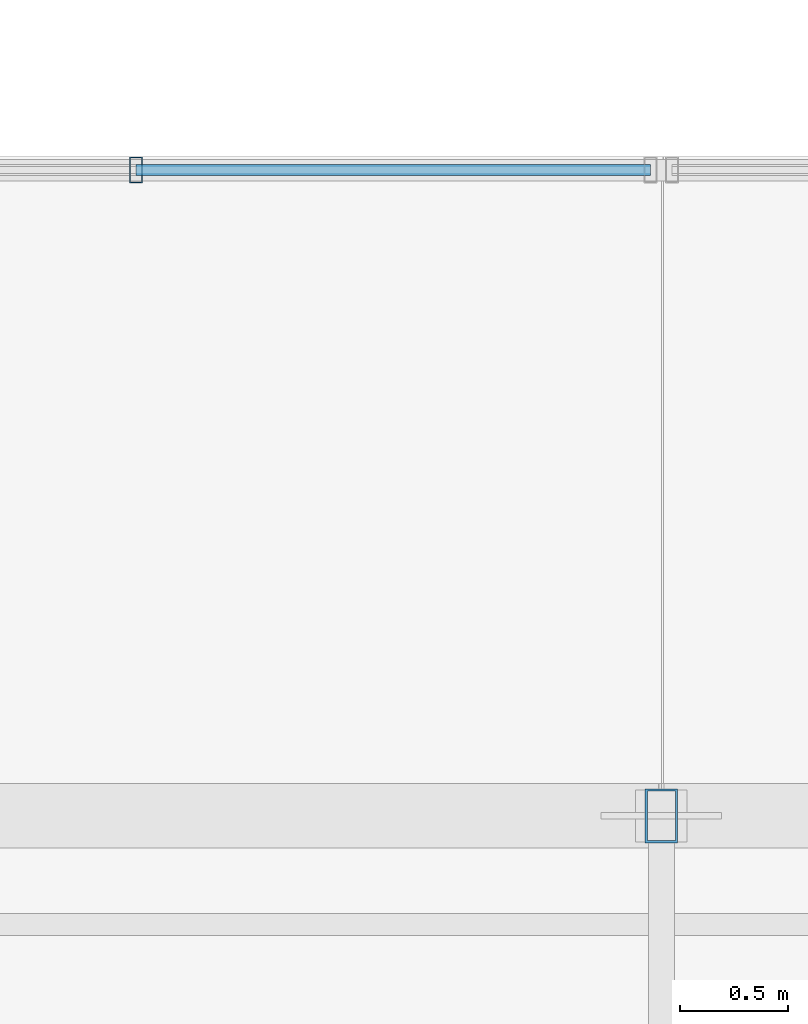
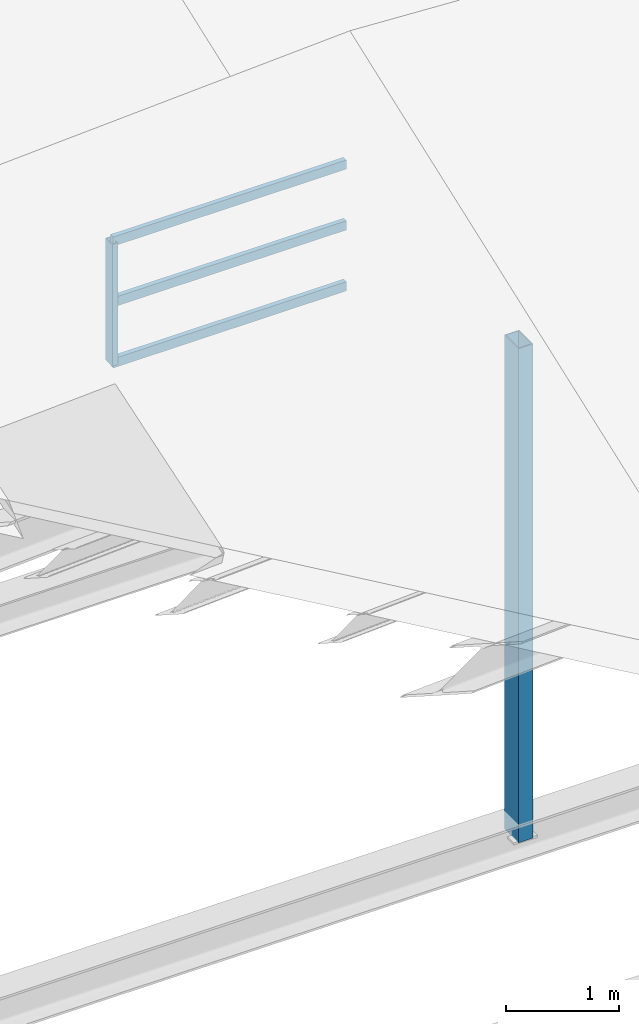
# One storey, part 84 of 141: 5 members, 1 element without a shape of its own.
"""IFC4 building model written with IfcOpenShell, lengths in metres."""

from ifc_helpers import new_model, si_unit, direction, frame, origin, origin_2d, place, context, subcontext, project, spatial, hollow_rectangle, extrude, material, material_profile, profile_set, type_object, element, aggregate, save


model = new_model("IFC4")

# Units and contexts
model_context = context("Model", 3, precision=1e-05, world=origin(), true_north=direction((0.0, 1.0)))
body_context = subcontext(model_context, "Body", "Model", "MODEL_VIEW")
ifc_project = project(units=[si_unit("LENGTHUNIT", "METRE"), si_unit("AREAUNIT", "SQUARE_METRE"), si_unit("VOLUMEUNIT", "CUBIC_METRE"), si_unit("PLANEANGLEUNIT", "RADIAN"), si_unit("MASSUNIT", "GRAM", prefix="KILO")], contexts=[model_context])

# Site, building, storey
site_placement = place(None, origin())
site = spatial("IfcSite", under=ifc_project, at=site_placement, CompositionType="ELEMENT")
building_placement = place(site_placement, origin())
building = spatial("IfcBuilding", under=site, at=building_placement, Name="Sundkrona Museum", CompositionType="ELEMENT")
storey_placement = place(building_placement, frame((0.0, 0.0, 34.0)))
storey = spatial("IfcBuildingStorey", under=building, at=storey_placement, Name="RF", CompositionType="ELEMENT", Elevation=34.0)

# Curtain wall, member
ifc_material_1 = material(Name="Unitised Aluminium-Steel and Ceramic-Clad Curtain Walling", Category="steel")
curtain_wall_type = type_object("IfcCurtainWallType", Name="CW-SW-240x13", PredefinedType="NOTDEFINED", material=ifc_material_1)
curtain_wall_placement = place(storey_placement, origin())
curtain_wall = element("IfcCurtainWall", 1, at=curtain_wall_placement, inside=storey, type_object=curtain_wall_type, Name="Sawtooth Bay 5 West North-Light Clerestory", PredefinedType="NOTDEFINED")
ifc_material_2 = material(Name="Aluminium EN AW-6060 T66", Category="aluminium")
ifc_material_profile_1 = material_profile(ifc_material_2, hollow_rectangle(XDim=0.06005859375, YDim=0.1201171875, WallThickness=0.0048828125, at=origin_2d()), Name="RHS 120x60x5.0")
ifc_profile_set_1 = profile_set([ifc_material_profile_1], Name="Aluminium EN AW-6060 T66")
member_type_1 = type_object("IfcMemberType", Name="ML-120", PredefinedType="MULLION", material=ifc_profile_set_1)
member_1_placement = place(storey_placement, frame((141.56005859375, 34.60009765625, 3.89306640625), z_axis=(0.0, 0.0, 1.0), x_axis=(1.0, 0.0, 0.0)))
member_1 = element("IfcMember", 2, at=member_1_placement, type_object=member_type_1, Name="CW-RF-SAW-05W Mullion 10", PredefinedType="MULLION", context=body_context, shape_type="SweptSolid", body=[
    extrude(hollow_rectangle(XDim=0.06005859375, YDim=0.1201171875, WallThickness=0.0048828125, at=origin_2d()), origin(), (0.0, 0.0, 1.0), 1.31982421875),
])

# Member
ifc_material_3 = material(Name="Steel S355J2", Category="steel")
ifc_material_profile_2 = material_profile(ifc_material_3, hollow_rectangle(XDim=0.14990234375, YDim=0.25, WallThickness=0.010009765625, at=origin_2d()), Name="RHS 250x150x10.0")
ifc_profile_set_2 = profile_set([ifc_material_profile_2], Name="Steel S355J2")
member_type_2 = type_object("IfcMemberType", Name="ST-RHS250", PredefinedType="STRUT", material=ifc_profile_set_2)
member_2_placement = place(storey_placement, frame((144.0, 31.60009765625, -0.25), z_axis=(0.0, 0.0, 1.0), x_axis=(1.0, 0.0, 0.0)))
element("IfcMember", 3, at=member_2_placement, inside=storey, type_object=member_type_2, Name="RFS-1 Sawtooth Truss 5 Vertical Post 4", PredefinedType="STRUT", context=body_context, shape_type="SweptSolid", body=[
    extrude(hollow_rectangle(XDim=0.14990234375, YDim=0.25, WallThickness=0.010009765625, at=origin_2d()), origin(), (0.0, 0.0, 1.0), 5.355712890625),
])

ifc_material_profile_3 = material_profile(ifc_material_2, hollow_rectangle(XDim=0.050048828125, YDim=0.10009765625, WallThickness=0.0048828125, at=origin_2d()), Name="RHS 100x50x5.0")
ifc_profile_set_3 = profile_set([ifc_material_profile_3], Name="Aluminium EN AW-6060 T66")
member_type_3 = type_object("IfcMemberType", Name="TR-100", PredefinedType="USERDEFINED", material=ifc_profile_set_3)
member_3_placement = place(storey_placement, frame((141.56005859375, 34.60009765625, 3.89306640625), z_axis=(1.0, 0.0, 0.0), x_axis=(0.0, 1.0, 0.0)))
member_3 = element("IfcMember", 4, at=member_3_placement, type_object=member_type_3, Name="CW-RF-SAW-05W Transom 28", ObjectType="TRANSOM", PredefinedType="USERDEFINED", context=body_context, shape_type="SweptSolid", body=[
    extrude(hollow_rectangle(XDim=0.050048828125, YDim=0.10009765625, WallThickness=0.0048828125, at=origin_2d()), origin(), (0.0, 0.0, 1.0), 2.389892578125),
])

member_4_placement = place(storey_placement, frame((141.56005859375, 34.60009765625, 4.552978515625), z_axis=(1.0, 0.0, 0.0), x_axis=(0.0, 1.0, 0.0)))
member_4 = element("IfcMember", 5, at=member_4_placement, type_object=member_type_3, Name="CW-RF-SAW-05W Transom 29", ObjectType="TRANSOM", PredefinedType="USERDEFINED", context=body_context, shape_type="SweptSolid", body=[
    extrude(hollow_rectangle(XDim=0.050048828125, YDim=0.10009765625, WallThickness=0.0048828125, at=origin_2d()), origin(), (0.0, 0.0, 1.0), 2.389892578125),
])

member_5_placement = place(storey_placement, frame((141.56005859375, 34.60009765625, 5.212890625), z_axis=(1.0, 0.0, 0.0), x_axis=(0.0, 1.0, 0.0)))
member_5 = element("IfcMember", 6, at=member_5_placement, type_object=member_type_3, Name="CW-RF-SAW-05W Transom 30", ObjectType="TRANSOM", PredefinedType="USERDEFINED", context=body_context, shape_type="SweptSolid", body=[
    extrude(hollow_rectangle(XDim=0.050048828125, YDim=0.10009765625, WallThickness=0.0048828125, at=origin_2d()), origin(), (0.0, 0.0, 1.0), 2.389892578125),
])

aggregate(curtain_wall, [member_1, member_3, member_4, member_5])

save(model, "model.ifc")
